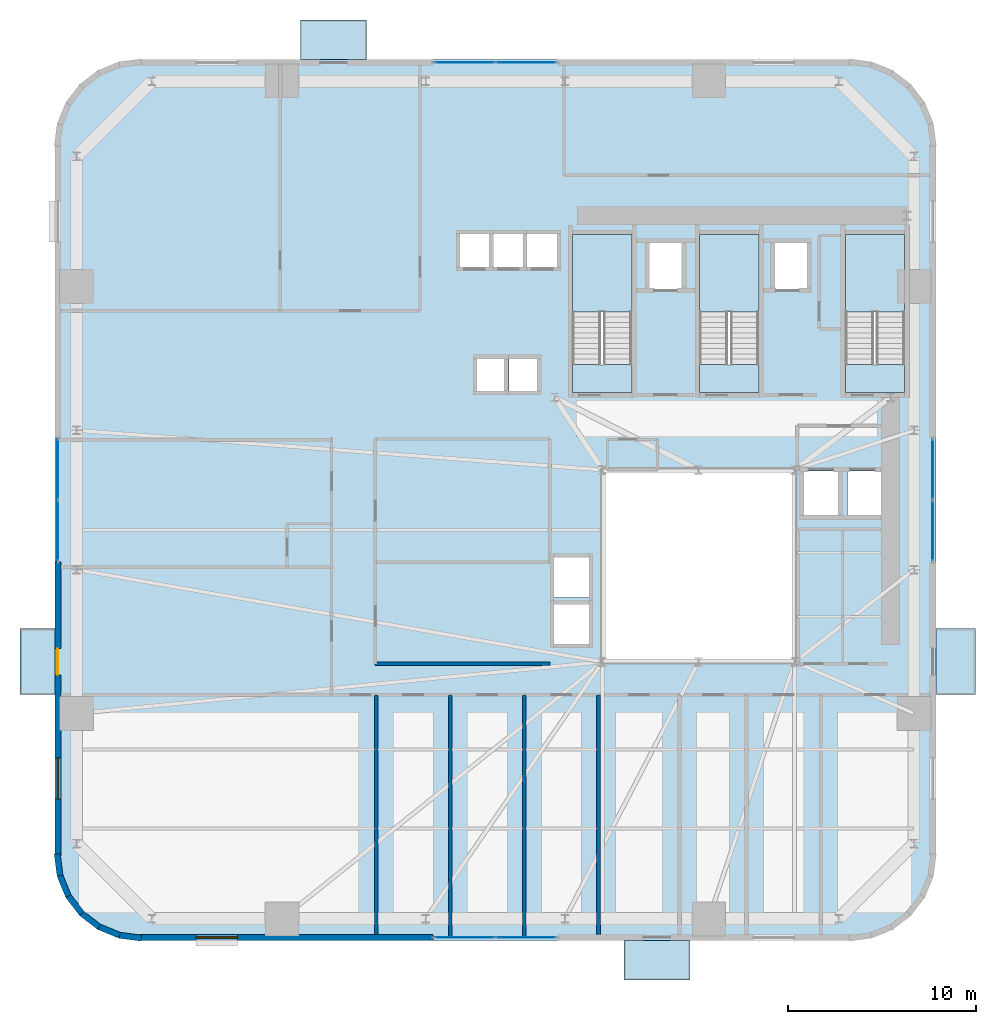
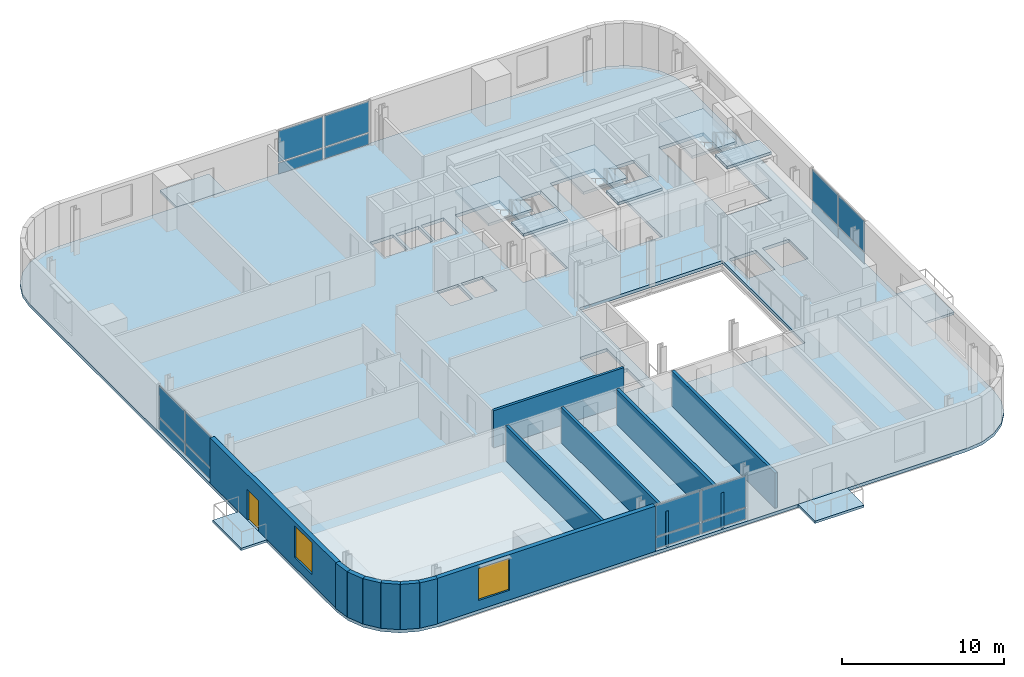
# One storey, part 5 of 13: 16 plates, 13 walls, 11 slabs, 2 windows, 1 door, 3 openings, 7 elements without a shape of their own.
"""IFC4 building model written with IfcOpenShell, lengths in metres."""

from ifc_helpers import new_model, si_unit, direction, frame, frame_2d, origin, origin_2d, place, context, subcontext, project, spatial, polyline, rectangle, outline, extrude, source, transform, mapped, material, layer, layer_set, type_object, element, fill, aggregate, save


model = new_model("IFC4")

# Units and contexts
model_context = context("Model", 3, precision=1e-05, world=origin(), true_north=direction((0.0, 1.0)))
body_context = subcontext(model_context, "Body", "Model", "MODEL_VIEW")
ifc_project = project(units=[si_unit("LENGTHUNIT", "METRE"), si_unit("AREAUNIT", "SQUARE_METRE"), si_unit("VOLUMEUNIT", "CUBIC_METRE"), si_unit("PLANEANGLEUNIT", "RADIAN"), si_unit("MASSUNIT", "GRAM", prefix="KILO")], contexts=[model_context])

# Site, building, storey
site_placement = place(None, origin())
site = spatial("IfcSite", under=ifc_project, at=site_placement, CompositionType="ELEMENT")
building_placement = place(site_placement, origin())
building = spatial("IfcBuilding", under=site, at=building_placement, Name="Vardaveli Station Tower", CompositionType="ELEMENT")
storey_placement = place(building_placement, frame((0.0, 0.0, 53.14990234375)))
storey = spatial("IfcBuildingStorey", under=building, at=storey_placement, Name="L13", CompositionType="ELEMENT", Elevation=53.14990234375)

# Stair, slabs
ifc_material_1 = material(Name="Concrete C40/50", Category="concrete")
stair_type = type_object("IfcStairType", Name="STR-CORE-1500", PredefinedType="HALF_TURN_STAIR", material=ifc_material_1)
stair_1_placement = place(storey_placement, origin())
stair_1 = element("IfcStair", 1, at=stair_1_placement, inside=storey, type_object=stair_type, Name="L13 ST-1", PredefinedType="HALF_TURN_STAIR")
ifc_layer_1 = layer(ifc_material_1, 0.199951171875, Name="Concrete C40/50")
ifc_layer_set_1 = layer_set([ifc_layer_1], Name="Concrete C40/50")
slab_type_1 = type_object("IfcSlabType", Name="SLB-LAND-200", PredefinedType="LANDING", material=ifc_layer_set_1)
slab_1_placement = place(storey_placement, frame((0.0, 0.0, 1.625)))
slab_1 = element("IfcSlab", 2, at=slab_1_placement, type_object=slab_type_1, Name="ST-1 landing 1", PredefinedType="LANDING", context=body_context, shape_type="SweptSolid", body=[
    extrude(outline(polyline([(32.75, 35.199951171875), (32.75, 39.300048828125), (29.60009765625, 39.300048828125), (29.60009765625, 35.199951171875), (32.75, 35.199951171875)])), origin(), (0.0, 0.0, 1.0), 0.2001953125),
])
slab_2_placement = place(storey_placement, frame((0.0, 0.0, 3.4501953125)))
slab_2 = element("IfcSlab", 3, at=slab_2_placement, type_object=slab_type_1, Name="ST-1 landing 2", PredefinedType="LANDING", context=body_context, shape_type="SweptSolid", body=[
    extrude(outline(polyline([(32.75, 30.89990234375), (32.75, 32.39990234375), (29.60009765625, 32.39990234375), (29.60009765625, 30.89990234375), (32.75, 30.89990234375)])), origin(), (0.0, 0.0, 1.0), 0.199951171875),
])
aggregate(stair_1, [slab_1, slab_2])

stair_2_placement = place(storey_placement, origin())
stair_2 = element("IfcStair", 4, at=stair_2_placement, inside=storey, type_object=stair_type, Name="L13 ST-2", PredefinedType="HALF_TURN_STAIR")
slab_3_placement = place(storey_placement, frame((0.0, 0.0, 1.625)))
slab_3 = element("IfcSlab", 5, at=slab_3_placement, type_object=slab_type_1, Name="ST-2 landing 1", PredefinedType="LANDING", context=body_context, shape_type="SweptSolid", body=[
    extrude(outline(polyline([(39.5, 35.199951171875), (39.5, 39.300048828125), (36.35009765625, 39.300048828125), (36.35009765625, 35.199951171875), (39.5, 35.199951171875)])), origin(), (0.0, 0.0, 1.0), 0.2001953125),
])
slab_4_placement = place(storey_placement, frame((0.0, 0.0, 3.4501953125)))
slab_4 = element("IfcSlab", 6, at=slab_4_placement, type_object=slab_type_1, Name="ST-2 landing 2", PredefinedType="LANDING", context=body_context, shape_type="SweptSolid", body=[
    extrude(outline(polyline([(39.5, 30.89990234375), (39.5, 32.39990234375), (36.35009765625, 32.39990234375), (36.35009765625, 30.89990234375), (39.5, 30.89990234375)])), origin(), (0.0, 0.0, 1.0), 0.199951171875),
])
aggregate(stair_2, [slab_3, slab_4])

stair_3_placement = place(storey_placement, origin())
stair_3 = element("IfcStair", 7, at=stair_3_placement, inside=storey, type_object=stair_type, Name="L13 ST-3", PredefinedType="HALF_TURN_STAIR")
slab_5_placement = place(storey_placement, frame((0.0, 0.0, 1.625)))
slab_5 = element("IfcSlab", 8, at=slab_5_placement, type_object=slab_type_1, Name="ST-3 landing 1", PredefinedType="LANDING", context=body_context, shape_type="SweptSolid", body=[
    extrude(outline(polyline([(47.25, 35.199951171875), (47.25, 39.300048828125), (44.10009765625, 39.300048828125), (44.10009765625, 35.199951171875), (47.25, 35.199951171875)])), origin(), (0.0, 0.0, 1.0), 0.2001953125),
])
slab_6_placement = place(storey_placement, frame((0.0, 0.0, 3.4501953125)))
slab_6 = element("IfcSlab", 9, at=slab_6_placement, type_object=slab_type_1, Name="ST-3 landing 2", PredefinedType="LANDING", context=body_context, shape_type="SweptSolid", body=[
    extrude(outline(polyline([(47.25, 30.89990234375), (47.25, 32.39990234375), (44.10009765625, 32.39990234375), (44.10009765625, 30.89990234375), (47.25, 30.89990234375)])), origin(), (0.0, 0.0, 1.0), 0.199951171875),
])
aggregate(stair_3, [slab_5, slab_6])

# Slabs
ifc_material_2 = material(Name="Precast concrete C45/55", Category="concrete")
ifc_layer_2 = layer(ifc_material_2, 0.179931640625, Name="Precast concrete C45/55")
ifc_layer_set_2 = layer_set([ifc_layer_2], Name="Precast concrete C45/55")
slab_type_2 = type_object("IfcSlabType", Name="SLB-LOGGIA-180", PredefinedType="FLOOR", material=ifc_layer_set_2)
slab_7_placement = place(storey_placement, frame((0.0, 0.0, -0.179931640625)))
element("IfcSlab", 10, at=slab_7_placement, inside=storey, type_object=slab_type_2, Name="LOG-L13-S", PredefinedType="FLOOR", context=body_context, shape_type="SweptSolid", body=[
    extrude(outline(polyline([(32.339599609375, -0.300048828125), (35.839599609375, -0.300048828125), (35.839599609375, 1.800048828125), (32.339599609375, 1.800048828125), (32.339599609375, -0.300048828125)])), origin(), (0.0, 0.0, 1.0), 0.179931640625),
])
slab_8_placement = place(storey_placement, frame((0.0, 0.0, -0.179931640625)))
element("IfcSlab", 11, at=slab_8_placement, inside=storey, type_object=slab_type_2, Name="LOG-L13-N", PredefinedType="FLOOR", context=body_context, shape_type="SweptSolid", body=[
    extrude(outline(polyline([(15.160400390625, 48.60009765625), (18.660400390625, 48.60009765625), (18.660400390625, 50.699951171875), (15.160400390625, 50.699951171875), (15.160400390625, 48.60009765625)])), origin(), (0.0, 0.0, 1.0), 0.179931640625),
])
slab_9_placement = place(storey_placement, frame((0.0, 0.0, -0.179931640625)))
element("IfcSlab", 12, at=slab_9_placement, inside=storey, type_object=slab_type_2, Name="LOG-L13-W", PredefinedType="FLOOR", context=body_context, shape_type="SweptSolid", body=[
    extrude(outline(polyline([(0.25, 14.8603515625), (2.10009765625, 14.8603515625), (2.10009765625, 18.3603515625), (0.25, 18.3603515625), (0.25, 14.8603515625)])), origin(), (0.0, 0.0, 1.0), 0.179931640625),
])
slab_10_placement = place(storey_placement, frame((0.0, 0.0, -0.179931640625)))
element("IfcSlab", 13, at=slab_10_placement, inside=storey, type_object=slab_type_2, Name="LOG-L13-E", PredefinedType="FLOOR", context=body_context, shape_type="SweptSolid", body=[
    extrude(outline(polyline([(48.89990234375, 14.8603515625), (51.0, 14.8603515625), (51.0, 18.3603515625), (48.89990234375, 18.3603515625), (48.89990234375, 14.8603515625)])), origin(), (0.0, 0.0, 1.0), 0.179931640625),
])
ifc_layer_3 = layer(ifc_material_1, 0.239990234375, Name="Concrete C40/50")
ifc_layer_set_3 = layer_set([ifc_layer_3], Name="Concrete C40/50")
slab_type_3 = type_object("IfcSlabType", Name="SLB-TOW-240", PredefinedType="FLOOR", material=ifc_layer_set_3)
slab_11_placement = place(storey_placement, frame((0.0, 0.0, -0.239990234375)))
element("IfcSlab", 14, at=slab_11_placement, inside=storey, type_object=slab_type_3, Name="SLB-L13-MAIN", PredefinedType="FLOOR", context=body_context, shape_type="SweptSolid", body=[
    extrude(outline(polyline([(2.10009765625, 6.300048828125), (2.25341796875, 5.13525390625), (2.702880859375, 4.050048828125), (3.41796875, 3.117919921875), (4.35009765625, 2.40283203125), (5.435302734375, 1.953369140625), (6.60009765625, 1.800048828125), (44.39990234375, 1.800048828125), (45.564697265625, 1.953369140625), (46.64990234375, 2.40283203125), (47.58203125, 3.117919921875), (48.297119140625, 4.050048828125), (48.74658203125, 5.13525390625), (48.89990234375, 6.300048828125), (48.89990234375, 44.10009765625), (48.74658203125, 45.2646484375), (48.297119140625, 46.35009765625), (47.58203125, 47.281982421875), (46.64990234375, 47.9970703125), (45.564697265625, 48.44677734375), (44.39990234375, 48.60009765625), (6.60009765625, 48.60009765625), (5.435302734375, 48.44677734375), (4.35009765625, 47.9970703125), (3.41796875, 47.281982421875), (2.702880859375, 46.35009765625), (2.25341796875, 45.2646484375), (2.10009765625, 44.10009765625), (2.10009765625, 6.300048828125)]), holes=[polyline([(31.199951171875, 16.60009765625), (41.39990234375, 16.60009765625), (41.39990234375, 26.800048828125), (31.199951171875, 26.800048828125), (31.199951171875, 16.60009765625)]), polyline([(32.75, 30.89990234375), (32.75, 39.300048828125), (29.60009765625, 39.300048828125), (29.60009765625, 30.89990234375), (32.75, 30.89990234375)]), polyline([(39.5, 30.89990234375), (39.5, 39.300048828125), (36.35009765625, 39.300048828125), (36.35009765625, 30.89990234375), (39.5, 30.89990234375)]), polyline([(47.25, 30.89990234375), (47.25, 39.300048828125), (44.10009765625, 39.300048828125), (44.10009765625, 30.89990234375), (47.25, 30.89990234375)]), polyline([(23.5849609375, 37.534912109375), (25.215087890625, 37.534912109375), (25.215087890625, 39.364990234375), (23.5849609375, 39.364990234375), (23.5849609375, 37.534912109375)]), polyline([(25.385009765625, 37.534912109375), (27.014892578125, 37.534912109375), (27.014892578125, 39.364990234375), (25.385009765625, 39.364990234375), (25.385009765625, 37.534912109375)]), polyline([(27.18505859375, 37.534912109375), (28.81494140625, 37.534912109375), (28.81494140625, 39.364990234375), (27.18505859375, 39.364990234375), (27.18505859375, 37.534912109375)]), polyline([(33.659912109375, 36.409912109375), (35.43994140625, 36.409912109375), (35.43994140625, 38.889892578125), (33.659912109375, 38.889892578125), (33.659912109375, 36.409912109375)]), polyline([(40.31005859375, 36.409912109375), (42.090087890625, 36.409912109375), (42.090087890625, 38.889892578125), (40.31005859375, 38.889892578125), (40.31005859375, 36.409912109375)]), polyline([(24.485107421875, 30.9599609375), (26.014892578125, 30.9599609375), (26.014892578125, 32.739990234375), (24.485107421875, 32.739990234375), (24.485107421875, 30.9599609375)]), polyline([(26.235107421875, 30.9599609375), (27.764892578125, 30.9599609375), (27.764892578125, 32.739990234375), (26.235107421875, 32.739990234375), (26.235107421875, 30.9599609375)]), polyline([(28.5849609375, 17.510009765625), (30.514892578125, 17.510009765625), (30.514892578125, 19.68994140625), (28.5849609375, 19.68994140625), (28.5849609375, 17.510009765625)]), polyline([(28.5849609375, 20.010009765625), (30.514892578125, 20.010009765625), (30.514892578125, 22.18994140625), (28.5849609375, 22.18994140625), (28.5849609375, 20.010009765625)]), polyline([(41.860107421875, 24.360107421875), (43.739990234375, 24.360107421875), (43.739990234375, 26.739990234375), (41.860107421875, 26.739990234375), (41.860107421875, 24.360107421875)]), polyline([(44.2099609375, 24.360107421875), (46.090087890625, 24.360107421875), (46.090087890625, 26.739990234375), (44.2099609375, 26.739990234375), (44.2099609375, 24.360107421875)])]), origin(), (0.0, 0.0, 1.0), 0.239990234375),
])

# Curtain wall, plates
ifc_material_3 = material(Name="Travertine stone and solar-control glass", Category="masonry")
curtain_wall_type = type_object("IfcCurtainWallType", Name="CW-SYS-2", PredefinedType="NOTDEFINED", material=ifc_material_3)
curtain_wall_1_placement = place(storey_placement, origin())
curtain_wall_1 = element("IfcCurtainWall", 15, at=curtain_wall_1_placement, inside=storey, type_object=curtain_wall_type, Name="CW-L13-S", PredefinedType="NOTDEFINED")
ifc_material_4 = material(Name="Double-glazed low-E solar-control glass", Category="glass")
ifc_layer_4 = layer(ifc_material_4, 0.035888671875, Name="Double-glazed low-E solar-control glass")
ifc_layer_set_4 = layer_set([ifc_layer_4], Name="Double-glazed low-E solar-control glass")
plate_type = type_object("IfcPlateType", Name="CW-SYS-2-PAN", PredefinedType="CURTAIN_PANEL", material=ifc_layer_set_4)
shared_shape_1 = source(origin(), body_context, "Body", "SweptSolid", [
    extrude(rectangle(XDim=3.172607421875, YDim=0.035888671875, at=origin_2d()), origin(), (0.0, 0.0, 1.0), 0.822509765625),
])
plate_1_placement = place(storey_placement, frame((23.871337890625, 1.9599609375, 0.0849609375), z_axis=(0.0, 0.0, 1.0), x_axis=(1.0, 0.0, 0.0)))
plate_1 = element("IfcPlate", 16, at=plate_1_placement, type_object=plate_type, Name="CW-2 panel 1.1", PredefinedType="CURTAIN_PANEL", context=body_context, shape_type="MappedRepresentation", body=[
    mapped(shared_shape_1, transform((0.0, 0.0, 0.0), scale=1.0)),
])
plate_2_placement = place(storey_placement, frame((27.128662109375, 1.9599609375, 0.0849609375), z_axis=(0.0, 0.0, 1.0), x_axis=(1.0, 0.0, 0.0)))
plate_2 = element("IfcPlate", 17, at=plate_2_placement, type_object=plate_type, Name="CW-2 panel 2.1", PredefinedType="CURTAIN_PANEL", context=body_context, shape_type="MappedRepresentation", body=[
    mapped(shared_shape_1, transform((0.0, 0.0, 0.0), scale=1.0)),
])

curtain_wall_2_placement = place(storey_placement, origin())
curtain_wall_2 = element("IfcCurtainWall", 18, at=curtain_wall_2_placement, inside=storey, type_object=curtain_wall_type, Name="CW-L13-N", PredefinedType="NOTDEFINED")
plate_3_placement = place(storey_placement, frame((27.128662109375, 48.43994140625, 0.0849609375), z_axis=(0.0, 0.0, 1.0), x_axis=(-1.0, 0.0, 0.0)))
plate_3 = element("IfcPlate", 19, at=plate_3_placement, type_object=plate_type, Name="CW-2 panel 1.1", PredefinedType="CURTAIN_PANEL", context=body_context, shape_type="MappedRepresentation", body=[
    mapped(shared_shape_1, transform((0.0, 0.0, 0.0), scale=1.0)),
])
plate_4_placement = place(storey_placement, frame((23.871337890625, 48.43994140625, 0.0849609375), z_axis=(0.0, 0.0, 1.0), x_axis=(-1.0, 0.0, 0.0)))
plate_4 = element("IfcPlate", 20, at=plate_4_placement, type_object=plate_type, Name="CW-2 panel 2.1", PredefinedType="CURTAIN_PANEL", context=body_context, shape_type="MappedRepresentation", body=[
    mapped(shared_shape_1, transform((0.0, 0.0, 0.0), scale=1.0)),
])

curtain_wall_3_placement = place(storey_placement, origin())
curtain_wall_3 = element("IfcCurtainWall", 21, at=curtain_wall_3_placement, inside=storey, type_object=curtain_wall_type, Name="CW-L13-W", PredefinedType="NOTDEFINED")
plate_5_placement = place(storey_placement, frame((2.260009765625, 26.828857421875, 0.0849609375), z_axis=(0.0, 0.0, 1.0), x_axis=(0.0, -1.0, 0.0)))
plate_5 = element("IfcPlate", 22, at=plate_5_placement, type_object=plate_type, Name="CW-2 panel 1.1", PredefinedType="CURTAIN_PANEL", context=body_context, shape_type="MappedRepresentation", body=[
    mapped(shared_shape_1, transform((0.0, 0.0, 0.0), scale=1.0)),
])
plate_6_placement = place(storey_placement, frame((2.260009765625, 23.5712890625, 0.0849609375), z_axis=(0.0, 0.0, 1.0), x_axis=(0.0, -1.0, 0.0)))
plate_6 = element("IfcPlate", 23, at=plate_6_placement, type_object=plate_type, Name="CW-2 panel 2.1", PredefinedType="CURTAIN_PANEL", context=body_context, shape_type="MappedRepresentation", body=[
    mapped(shared_shape_1, transform((0.0, 0.0, 0.0), scale=1.0)),
])

curtain_wall_4_placement = place(storey_placement, origin())
curtain_wall_4 = element("IfcCurtainWall", 24, at=curtain_wall_4_placement, inside=storey, type_object=curtain_wall_type, Name="CW-L13-E", PredefinedType="NOTDEFINED")
plate_7_placement = place(storey_placement, frame((48.739990234375, 23.5712890625, 0.0849609375), z_axis=(0.0, 0.0, 1.0), x_axis=(0.0, 1.0, 0.0)))
plate_7 = element("IfcPlate", 25, at=plate_7_placement, type_object=plate_type, Name="CW-2 panel 1.1", PredefinedType="CURTAIN_PANEL", context=body_context, shape_type="MappedRepresentation", body=[
    mapped(shared_shape_1, transform((0.0, 0.0, 0.0), scale=1.0)),
])
plate_8_placement = place(storey_placement, frame((48.739990234375, 26.828857421875, 0.0849609375), z_axis=(0.0, 0.0, 1.0), x_axis=(0.0, 1.0, 0.0)))
plate_8 = element("IfcPlate", 26, at=plate_8_placement, type_object=plate_type, Name="CW-2 panel 2.1", PredefinedType="CURTAIN_PANEL", context=body_context, shape_type="MappedRepresentation", body=[
    mapped(shared_shape_1, transform((0.0, 0.0, 0.0), scale=1.0)),
])

# Plate
shared_shape_2 = source(origin(), body_context, "Body", "SweptSolid", [
    extrude(rectangle(XDim=3.172607421875, YDim=0.035888671875, at=origin_2d()), origin(), (0.0, 0.0, 1.0), 2.33251953125),
])
plate_9_placement = place(storey_placement, frame((23.871337890625, 1.9599609375, 0.99267578125), z_axis=(0.0, 0.0, 1.0), x_axis=(1.0, 0.0, 0.0)))
plate_9 = element("IfcPlate", 27, at=plate_9_placement, type_object=plate_type, Name="CW-2 panel 1.2", PredefinedType="CURTAIN_PANEL", context=body_context, shape_type="MappedRepresentation", body=[
    mapped(shared_shape_2, transform((0.0, 0.0, 0.0), scale=1.0)),
])

plate_10_placement = place(storey_placement, frame((27.128662109375, 1.9599609375, 0.99267578125), z_axis=(0.0, 0.0, 1.0), x_axis=(1.0, 0.0, 0.0)))
plate_10 = element("IfcPlate", 28, at=plate_10_placement, type_object=plate_type, Name="CW-2 panel 2.2", PredefinedType="CURTAIN_PANEL", context=body_context, shape_type="MappedRepresentation", body=[
    mapped(shared_shape_2, transform((0.0, 0.0, 0.0), scale=1.0)),
])

aggregate(curtain_wall_1, [plate_1, plate_9, plate_2, plate_10])

plate_11_placement = place(storey_placement, frame((27.128662109375, 48.43994140625, 0.99267578125), z_axis=(0.0, 0.0, 1.0), x_axis=(-1.0, 0.0, 0.0)))
plate_11 = element("IfcPlate", 29, at=plate_11_placement, type_object=plate_type, Name="CW-2 panel 1.2", PredefinedType="CURTAIN_PANEL", context=body_context, shape_type="MappedRepresentation", body=[
    mapped(shared_shape_2, transform((0.0, 0.0, 0.0), scale=1.0)),
])

plate_12_placement = place(storey_placement, frame((23.871337890625, 48.43994140625, 0.99267578125), z_axis=(0.0, 0.0, 1.0), x_axis=(-1.0, 0.0, 0.0)))
plate_12 = element("IfcPlate", 30, at=plate_12_placement, type_object=plate_type, Name="CW-2 panel 2.2", PredefinedType="CURTAIN_PANEL", context=body_context, shape_type="MappedRepresentation", body=[
    mapped(shared_shape_2, transform((0.0, 0.0, 0.0), scale=1.0)),
])

aggregate(curtain_wall_2, [plate_3, plate_11, plate_4, plate_12])

plate_13_placement = place(storey_placement, frame((2.260009765625, 26.828857421875, 0.99267578125), z_axis=(0.0, 0.0, 1.0), x_axis=(0.0, -1.0, 0.0)))
plate_13 = element("IfcPlate", 31, at=plate_13_placement, type_object=plate_type, Name="CW-2 panel 1.2", PredefinedType="CURTAIN_PANEL", context=body_context, shape_type="MappedRepresentation", body=[
    mapped(shared_shape_2, transform((0.0, 0.0, 0.0), scale=1.0)),
])

plate_14_placement = place(storey_placement, frame((2.260009765625, 23.5712890625, 0.99267578125), z_axis=(0.0, 0.0, 1.0), x_axis=(0.0, -1.0, 0.0)))
plate_14 = element("IfcPlate", 32, at=plate_14_placement, type_object=plate_type, Name="CW-2 panel 2.2", PredefinedType="CURTAIN_PANEL", context=body_context, shape_type="MappedRepresentation", body=[
    mapped(shared_shape_2, transform((0.0, 0.0, 0.0), scale=1.0)),
])

aggregate(curtain_wall_3, [plate_5, plate_13, plate_6, plate_14])

plate_15_placement = place(storey_placement, frame((48.739990234375, 23.5712890625, 0.99267578125), z_axis=(0.0, 0.0, 1.0), x_axis=(0.0, 1.0, 0.0)))
plate_15 = element("IfcPlate", 33, at=plate_15_placement, type_object=plate_type, Name="CW-2 panel 1.2", PredefinedType="CURTAIN_PANEL", context=body_context, shape_type="MappedRepresentation", body=[
    mapped(shared_shape_2, transform((0.0, 0.0, 0.0), scale=1.0)),
])

plate_16_placement = place(storey_placement, frame((48.739990234375, 26.828857421875, 0.99267578125), z_axis=(0.0, 0.0, 1.0), x_axis=(0.0, 1.0, 0.0)))
plate_16 = element("IfcPlate", 34, at=plate_16_placement, type_object=plate_type, Name="CW-2 panel 2.2", PredefinedType="CURTAIN_PANEL", context=body_context, shape_type="MappedRepresentation", body=[
    mapped(shared_shape_2, transform((0.0, 0.0, 0.0), scale=1.0)),
])

aggregate(curtain_wall_4, [plate_7, plate_15, plate_8, plate_16])

# Wall, opening, window
ifc_layer_5 = layer(ifc_material_2, 0.320068359375, Name="Precast concrete C45/55")
ifc_layer_set_5 = layer_set([ifc_layer_5], Name="Precast concrete C45/55")
wall_type_1 = type_object("IfcWallType", Name="WAL-EXT-STONE-320", PredefinedType="SOLIDWALL", material=ifc_layer_set_5)
shared_shape_3 = source(origin(), body_context, "Body", "SweptSolid", [
    extrude(rectangle(XDim=15.599853515625, YDim=0.320068359375, at=frame_2d((7.7998046875, 0.0))), origin(), (0.0, 0.0, 1.0), 3.41015625),
])
wall_1_placement = place(storey_placement, frame((6.60009765625, 1.9599609375, 0.0), z_axis=(0.0, 0.0, 1.0), x_axis=(1.0, 0.0, 0.0)))
wall_1 = element("IfcWall", 35, at=wall_1_placement, inside=storey, type_object=wall_type_1, Name="EW-L13-S1", PredefinedType="SOLIDWALL", context=body_context, shape_type="MappedRepresentation", body=[
    mapped(shared_shape_3, transform((0.0, 0.0, 0.0), scale=1.0)),
])
shared_shape_4 = source(origin(), body_context, "Body", "SweptSolid", [
    extrude(rectangle(XDim=2.199951171875, YDim=2.39990234375, at=frame_2d((1.10009765625, 1.199951171875))), frame((0.0, 0.169921875, 0.0), z_axis=(0.0, -1.0, 0.0), x_axis=(1.0, 0.0, 0.0)), (0.0, 0.0, 1.0), 0.340087890625),
])
opening_1_placement = place(wall_1_placement, frame((3.0048828125, 0.0, 0.719970703125)))
opening_1 = element("IfcOpeningElement", 36, at=opening_1_placement, cuts=wall_1, Name="Opening W-03", PredefinedType="OPENING", context=body_context, shape_type="MappedRepresentation", body=[
    mapped(shared_shape_4, transform((0.0, 0.0, 0.0), scale=1.0)),
])
ifc_material_5 = material(Name="Low-E solar-control glass", Category="glass")
window_type = type_object("IfcWindowType", Name="WIN-LOG-2200x2400", PartitioningType="SINGLE_PANEL", PredefinedType="WINDOW", material=ifc_material_5)
shared_shape_5 = source(origin(), body_context, "Body", "SweptSolid", [
    extrude(rectangle(XDim=2.199951171875, YDim=2.39990234375, at=frame_2d((1.10009765625, 1.199951171875))), frame((0.0, 0.030029296875, 0.0), z_axis=(0.0, -1.0, 0.0), x_axis=(1.0, 0.0, 0.0)), (0.0, 0.0, 1.0), 0.06005859375),
])
window_1_placement = place(opening_1_placement, origin())
window_1 = element("IfcWindow", 37, at=window_1_placement, inside=storey, type_object=window_type, Name="WN-L13-S1", OverallHeight=2.39990234375, OverallWidth=2.199951171875, PartitioningType="SINGLE_PANEL", PredefinedType="WINDOW", context=body_context, shape_type="MappedRepresentation", body=[
    mapped(shared_shape_5, transform((0.0, 0.0, 0.0), scale=1.0)),
])
fill(opening_1, window_1)

# Wall, openings, door, window
wall_2_placement = place(storey_placement, frame((2.260009765625, 21.89990234375, 0.0), z_axis=(0.0, 0.0, 1.0), x_axis=(0.0, -1.0, 0.0)))
wall_2 = element("IfcWall", 38, at=wall_2_placement, inside=storey, type_object=wall_type_1, Name="EW-L13-W2", PredefinedType="SOLIDWALL", context=body_context, shape_type="MappedRepresentation", body=[
    mapped(shared_shape_3, transform((0.0, 0.0, 0.0), scale=1.0)),
])
shared_shape_6 = source(origin(), body_context, "Body", "SweptSolid", [
    extrude(rectangle(XDim=1.39990234375, YDim=2.300048828125, at=frame_2d((0.699951171875, 1.14990234375))), frame((0.0, 0.169921875, 0.0), z_axis=(0.0, -1.0, 0.0), x_axis=(1.0, 0.0, 0.0)), (0.0, 0.0, 1.0), 0.340087890625),
])
opening_2_placement = place(wall_2_placement, frame((4.589599609375, 0.0, 0.0)))
opening_2 = element("IfcOpeningElement", 39, at=opening_2_placement, cuts=wall_2, Name="Opening D-09", PredefinedType="OPENING", context=body_context, shape_type="MappedRepresentation", body=[
    mapped(shared_shape_6, transform((0.0, 0.0, 0.0), scale=1.0)),
])
opening_3_placement = place(wall_2_placement, frame((10.39501953125, 0.0, 0.719970703125)))
opening_3 = element("IfcOpeningElement", 40, at=opening_3_placement, cuts=wall_2, Name="Opening W-03", PredefinedType="OPENING", context=body_context, shape_type="MappedRepresentation", body=[
    mapped(shared_shape_4, transform((0.0, 0.0, 0.0), scale=1.0)),
])
ifc_material_6 = material(Name="Thermally broken aluminium glass", Category="aluminium")
door_type = type_object("IfcDoorType", Name="DR-LOG-1400x2300", OperationType="DOUBLE_DOOR_SLIDING", PredefinedType="DOOR", material=ifc_material_6)
shared_shape_7 = source(origin(), body_context, "Body", "SweptSolid", [
    extrude(rectangle(XDim=1.39990234375, YDim=2.300048828125, at=frame_2d((0.699951171875, 1.14990234375))), frame((0.0, 0.02490234375, 0.0), z_axis=(0.0, -1.0, 0.0), x_axis=(1.0, 0.0, 0.0)), (0.0, 0.0, 1.0), 0.050048828125),
])
door_placement = place(opening_2_placement, frame((1.39990234375, 0.0, 0.0), z_axis=(0.0, 0.0, 1.0), x_axis=(-1.0, 0.0, 0.0)))
door = element("IfcDoor", 41, at=door_placement, inside=storey, type_object=door_type, Name="DLG-L13-W", OperationType="DOUBLE_DOOR_SLIDING", OverallHeight=2.300048828125, OverallWidth=1.39990234375, PredefinedType="DOOR", context=body_context, shape_type="MappedRepresentation", body=[
    mapped(shared_shape_7, transform((0.0, 0.0, 0.0), scale=1.0)),
])
fill(opening_2, door)
window_2_placement = place(opening_3_placement, origin())
window_2 = element("IfcWindow", 42, at=window_2_placement, inside=storey, type_object=window_type, Name="WN-L13-W2", OverallHeight=2.39990234375, OverallWidth=2.199951171875, PartitioningType="SINGLE_PANEL", PredefinedType="WINDOW", context=body_context, shape_type="MappedRepresentation", body=[
    mapped(shared_shape_5, transform((0.0, 0.0, 0.0), scale=1.0)),
])
fill(opening_3, window_2)

# Walls
shared_shape_8 = source(origin(), body_context, "Body", "SweptSolid", [
    extrude(rectangle(XDim=1.170654296875, YDim=0.320068359375, at=frame_2d((0.58544921875, 0.0))), origin(), (0.0, 0.0, 1.0), 3.41015625),
])
wall_3_placement = place(storey_placement, frame((2.224365234375, 6.400634765625, 0.0), z_axis=(0.0, 0.0, 1.0), x_axis=(0.128269133229, -0.991739395941, 0.0)))
element("IfcWall", 43, at=wall_3_placement, inside=storey, type_object=wall_type_1, Name="EW-L13-CR1-1", PredefinedType="SOLIDWALL", context=body_context, shape_type="MappedRepresentation", body=[
    mapped(shared_shape_8, transform((0.0, 0.0, 0.0), scale=1.0)),
])
shared_shape_9 = source(origin(), body_context, "Body", "SweptSolid", [
    extrude(rectangle(XDim=1.1689453125, YDim=0.320068359375, at=frame_2d((0.58447265625, 0.0))), origin(), (0.0, 0.0, 1.0), 3.41015625),
])
for number, where, z_axis, x_axis, name in (
    (44, (2.37451171875, 5.23974609375, 0.0), (0.0, 0.0, 1.0), (0.381127904695, -0.924522320046, 0.0), "EW-L13-CR1-2"),
    (45, (2.820068359375, 4.158935546875, 0.0), (0.0, 0.0, 1.0), (0.608387696831, -0.793639975269, 0.0), "EW-L13-CR1-3"),
):
    element("IfcWall", number, at=place(storey_placement, frame(where, z_axis=z_axis, x_axis=x_axis)), inside=storey, type_object=wall_type_1, Name=name, PredefinedType="SOLIDWALL", context=body_context, shape_type="MappedRepresentation", body=[
        mapped(shared_shape_9, transform((0.0, 0.0, 0.0), scale=1.0)),
    ])
shared_shape_10 = source(origin(), body_context, "Body", "SweptSolid", [
    extrude(rectangle(XDim=1.168701171875, YDim=0.320068359375, at=frame_2d((0.58447265625, 0.0))), origin(), (0.0, 0.0, 1.0), 3.41015625),
])
wall_4_placement = place(storey_placement, frame((3.53125, 3.231201171875, 0.0), z_axis=(0.0, 0.0, 1.0), x_axis=(0.793663520347, -0.608356981114, 0.0)))
element("IfcWall", 46, at=wall_4_placement, inside=storey, type_object=wall_type_1, Name="EW-L13-CR1-4", PredefinedType="SOLIDWALL", context=body_context, shape_type="MappedRepresentation", body=[
    mapped(shared_shape_10, transform((0.0, 0.0, 0.0), scale=1.0)),
])
shared_shape_11 = source(origin(), body_context, "Body", "SweptSolid", [
    extrude(rectangle(XDim=1.16943359375, YDim=0.320068359375, at=frame_2d((0.584716796875, 0.0))), origin(), (0.0, 0.0, 1.0), 3.41015625),
])
wall_5_placement = place(storey_placement, frame((4.458740234375, 2.520263671875, 0.0), z_axis=(0.0, 0.0, 1.0), x_axis=(0.924479075121, -0.381232789334, 0.0)))
element("IfcWall", 47, at=wall_5_placement, inside=storey, type_object=wall_type_1, Name="EW-L13-CR1-5", PredefinedType="SOLIDWALL", context=body_context, shape_type="MappedRepresentation", body=[
    mapped(shared_shape_11, transform((0.0, 0.0, 0.0), scale=1.0)),
])
shared_shape_12 = source(origin(), body_context, "Body", "SweptSolid", [
    extrude(rectangle(XDim=1.170166015625, YDim=0.320068359375, at=frame_2d((0.5849609375, 0.0))), origin(), (0.0, 0.0, 1.0), 3.41015625),
])
wall_6_placement = place(storey_placement, frame((5.539794921875, 2.074462890625, 0.0), z_axis=(0.0, 0.0, 1.0), x_axis=(0.991762485493, -0.128090485085, 0.0)))
element("IfcWall", 48, at=wall_6_placement, inside=storey, type_object=wall_type_1, Name="EW-L13-CR1-6", PredefinedType="SOLIDWALL", context=body_context, shape_type="MappedRepresentation", body=[
    mapped(shared_shape_12, transform((0.0, 0.0, 0.0), scale=1.0)),
])
ifc_material_7 = material(Name="Acoustic twin-stud gypsum partition")
ifc_layer_6 = layer(ifc_material_7, 0.199951171875, Name="Acoustic twin-stud gypsum partition")
ifc_layer_set_6 = layer_set([ifc_layer_6], Name="Acoustic twin-stud gypsum partition")
wall_type_2 = type_object("IfcWallType", Name="WAL-PARTY-200", PredefinedType="PARTITIONING", material=ifc_layer_set_6)
shared_shape_13 = source(origin(), body_context, "Body", "SweptSolid", [
    extrude(rectangle(XDim=12.72802734375, YDim=0.199951171875, at=frame_2d((6.364013671875, 0.0))), origin(), (0.0, 0.0, 1.0), 2.652099609375),
])
for number, where, z_axis, x_axis, name in (
    (49, (19.169921875, 2.1220703125, 0.0), (0.0, 0.0, 1.0), (0.0, 1.0, 0.0), "W-L13-PS1"),
    (50, (30.97900390625, 2.1220703125, 0.0), (0.0, 0.0, 1.0), (0.0, 1.0, 0.0), "W-L13-PS4"),
):
    element("IfcWall", number, at=place(storey_placement, frame(where, z_axis=z_axis, x_axis=x_axis)), inside=storey, type_object=wall_type_2, Name=name, PredefinedType="PARTITIONING", context=body_context, shape_type="MappedRepresentation", body=[
        mapped(shared_shape_13, transform((0.0, 0.0, 0.0), scale=1.0)),
    ])
shared_shape_14 = source(origin(), body_context, "Body", "SweptSolid", [
    extrude(rectangle(XDim=12.920166015625, YDim=0.199951171875, at=frame_2d((6.4599609375, 0.0))), origin(), (0.0, 0.0, 1.0), 2.652099609375),
])
for number, where, z_axis, x_axis, name in (
    (51, (23.10595703125, 1.929931640625, 0.0), (0.0, 0.0, 1.0), (0.0, 1.0, 0.0), "W-L13-PS2"),
    (52, (27.04296875, 1.929931640625, 0.0), (0.0, 0.0, 1.0), (0.0, 1.0, 0.0), "W-L13-PS3"),
):
    element("IfcWall", number, at=place(storey_placement, frame(where, z_axis=z_axis, x_axis=x_axis)), inside=storey, type_object=wall_type_2, Name=name, PredefinedType="PARTITIONING", context=body_context, shape_type="MappedRepresentation", body=[
        mapped(shared_shape_14, transform((0.0, 0.0, 0.0), scale=1.0)),
    ])
ifc_material_8 = material(Name="Fire-rated gypsum stud partition")
ifc_layer_7 = layer(ifc_material_8, 0.179931640625, Name="Fire-rated gypsum stud partition")
ifc_layer_set_7 = layer_set([ifc_layer_7], Name="Fire-rated gypsum stud partition")
wall_type_3 = type_object("IfcWallType", Name="WAL-CORR-180", PredefinedType="PARTITIONING", material=ifc_layer_set_7)
shared_shape_15 = source(origin(), body_context, "Body", "SweptSolid", [
    extrude(rectangle(XDim=9.27978515625, YDim=0.179931640625, at=frame_2d((4.639892578125, 0.0))), origin(), (0.0, 0.0, 1.0), 2.802001953125),
])
wall_7_placement = place(storey_placement, frame((19.1201171875, 16.5, 0.0), z_axis=(0.0, 0.0, 1.0), x_axis=(1.0, 0.0, 0.0)))
element("IfcWall", 53, at=wall_7_placement, inside=storey, type_object=wall_type_3, Name="W-L13-ATW1-S", PredefinedType="PARTITIONING", context=body_context, shape_type="MappedRepresentation", body=[
    mapped(shared_shape_15, transform((0.0, 0.0, 0.0), scale=1.0)),
])

save(model, "model.ifc")
